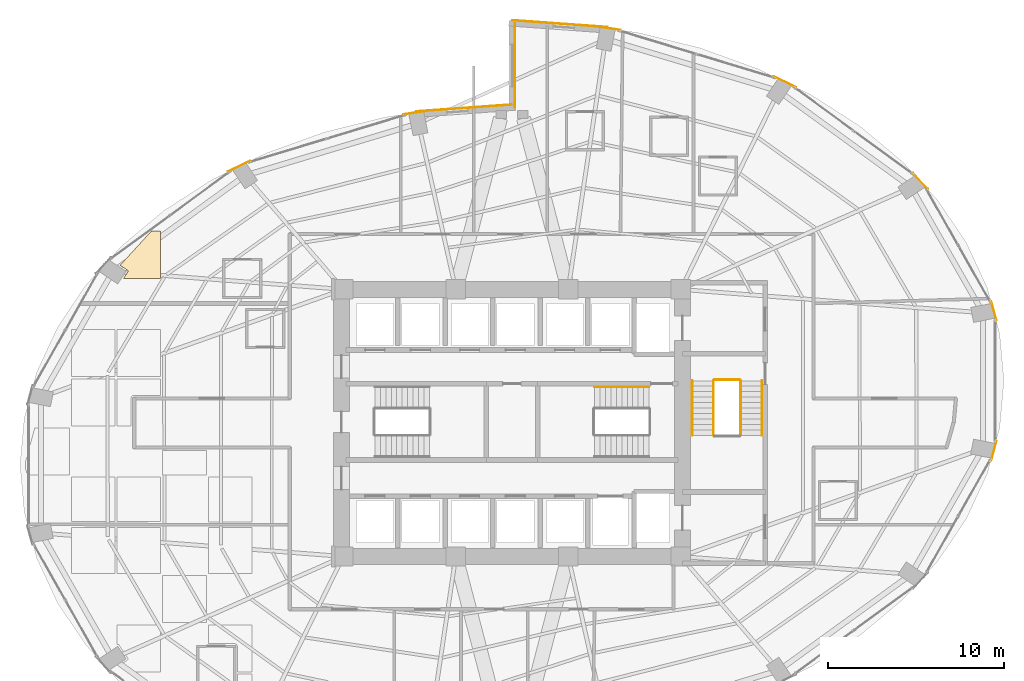
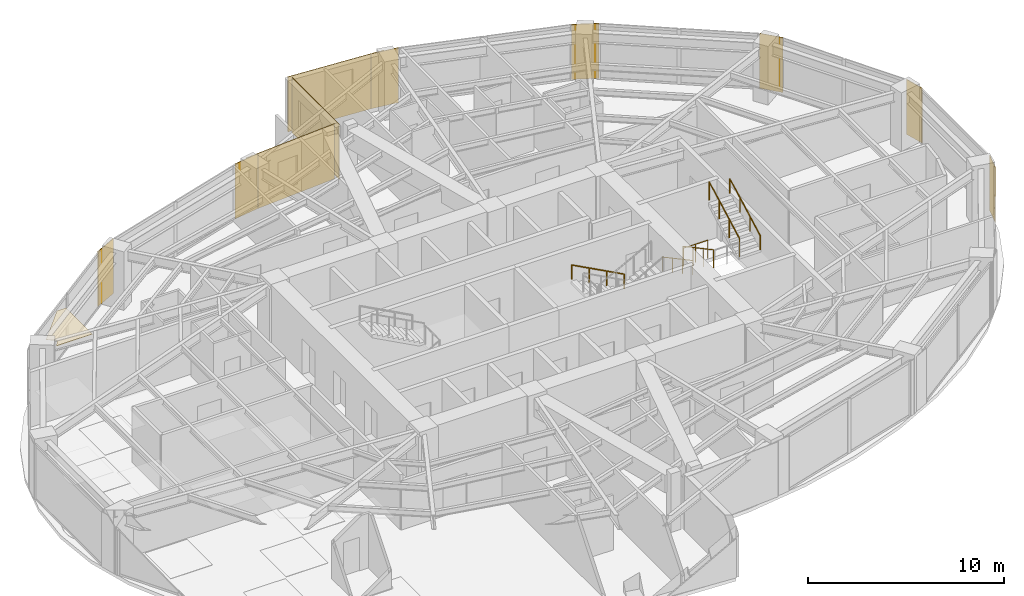
# One storey, part 25 of 25: 11 coverings, 6 railings.
"""IFC4 building model written with IfcOpenShell, lengths in metres."""

from ifc_helpers import new_model, si_unit, direction, frame, origin, origin_2d, place, context, subcontext, project, spatial, polyline, rectangle, circle, outline, extrude, material, layer, layer_set, type_object, element, save


model = new_model("IFC4")

# Units and contexts
model_context = context("Model", 3, precision=1e-05, world=origin(), true_north=direction((0.0, 1.0)))
body_context = subcontext(model_context, "Body", "Model", "MODEL_VIEW")
ifc_project = project(units=[si_unit("LENGTHUNIT", "METRE"), si_unit("AREAUNIT", "SQUARE_METRE"), si_unit("VOLUMEUNIT", "CUBIC_METRE"), si_unit("PLANEANGLEUNIT", "RADIAN"), si_unit("MASSUNIT", "GRAM", prefix="KILO")], contexts=[model_context])

# Site, building, storey
site_placement = place(None, origin())
site = spatial("IfcSite", under=ifc_project, at=site_placement, CompositionType="ELEMENT")
building_placement = place(site_placement, origin())
building = spatial("IfcBuilding", under=site, at=building_placement, Name="Lazwardi Medical Tower", CompositionType="ELEMENT")
storey_placement = place(building_placement, frame((0.0, 0.0, 28.847900390625)))
storey = spatial("IfcBuildingStorey", under=building, at=storey_placement, Name="L06", CompositionType="ELEMENT", Elevation=28.847900390625)

# Coverings
ifc_material_1 = material(Name="Anodised bronze aluminium cassette cladding", Category="aluminium")
ifc_layer_1 = layer(ifc_material_1, 0.030029296875)
ifc_layer_set_1 = layer_set([ifc_layer_1], Name="Anodised bronze aluminium cassette cladding")
covering_type_1 = type_object("IfcCoveringType", Name="COV-CLD-BRZ", PredefinedType="CLADDING", material=ifc_layer_set_1)
for number, where, z_axis, x_axis, name in (
    (1, (63.420654296875, 26.408203125, 0.0), (0.0, 0.0, 1.0), (0.262283496593, 0.964990863902, 0.0), "L06 Mega-column bronze cassette cover M04"),
    (2, (63.420654296875, 34.3916015625, 0.0), (0.0, 0.0, 1.0), (-0.262283496593, 0.964990863902, 0.0), "L06 Mega-column bronze cassette cover M05"),
):
    element("IfcCovering", number, at=place(storey_placement, frame(where, z_axis=z_axis, x_axis=x_axis)), inside=storey, type_object=covering_type_1, Name=name, PredefinedType="CLADDING", context=body_context, shape_type="SweptSolid", body=[
        extrude(rectangle(XDim=1.12548828125, YDim=0.030029296875, at=origin_2d()), origin(), (0.0, 0.0, 1.0), 3.427978515625),
    ])
covering_1_placement = place(storey_placement, frame((59.24609375, 41.767333984375, 0.0), z_axis=(0.0, 0.0, 1.0), x_axis=(-0.674252120961, 0.738501237223, 0.0)))
element("IfcCovering", 3, at=covering_1_placement, inside=storey, type_object=covering_type_1, Name="L06 Mega-column bronze cassette cover M06", PredefinedType="CLADDING", context=body_context, shape_type="SweptSolid", body=[
    extrude(rectangle(XDim=1.24658203125, YDim=0.030029296875, at=origin_2d()), origin(), (0.0, 0.0, 1.0), 3.427978515625),
])
covering_2_placement = place(storey_placement, frame((51.532470703125, 47.412353515625, 0.0), z_axis=(0.0, 0.0, 1.0), x_axis=(-0.898334492373, 0.439312121178, 0.0)))
element("IfcCovering", 4, at=covering_2_placement, inside=storey, type_object=covering_type_1, Name="L06 Mega-column bronze cassette cover M07", PredefinedType="CLADDING", context=body_context, shape_type="SweptSolid", body=[
    extrude(rectangle(XDim=1.400390625, YDim=0.030029296875, at=origin_2d()), origin(), (0.0, 0.0, 1.0), 3.427978515625),
])
for number, where, z_axis, x_axis, name in (
    (5, (41.454345703125, 50.46728515625, 0.0), (0.0, 0.0, 1.0), (-0.98957259946, 0.144034962415, 0.0), "L06 Mega-column bronze cassette cover M08"),
    (6, (30.545654296875, 45.66748046875, 0.0), (0.0, 0.0, 1.0), (-0.98957259946, -0.144034962415, 0.0), "L06 Mega-column bronze cassette cover M09"),
):
    element("IfcCovering", number, at=place(storey_placement, frame(where, z_axis=z_axis, x_axis=x_axis)), inside=storey, type_object=covering_type_1, Name=name, PredefinedType="CLADDING", context=body_context, shape_type="SweptSolid", body=[
        extrude(rectangle(XDim=1.49951171875, YDim=0.030029296875, at=origin_2d()), origin(), (0.0, 0.0, 1.0), 3.427978515625),
    ])
covering_3_placement = place(storey_placement, frame((20.467529296875, 42.6123046875, 0.0), z_axis=(0.0, 0.0, 1.0), x_axis=(-0.898334492373, -0.439312121178, 0.0)))
element("IfcCovering", 7, at=covering_3_placement, inside=storey, type_object=covering_type_1, Name="L06 Mega-column bronze cassette cover M10", PredefinedType="CLADDING", context=body_context, shape_type="SweptSolid", body=[
    extrude(rectangle(XDim=1.400390625, YDim=0.030029296875, at=origin_2d()), origin(), (0.0, 0.0, 1.0), 3.427978515625),
])
ifc_material_2 = material(Name="Turquoise glazed ceramic tilework cladding", Category="masonry")
ifc_layer_2 = layer(ifc_material_2, 0.034912109375)
ifc_layer_set_2 = layer_set([ifc_layer_2], Name="Turquoise glazed ceramic tilework cladding")
covering_type_2 = type_object("IfcCoveringType", Name="COV-CLD-TRQ", PredefinedType="CLADDING", material=ifc_layer_set_2)
covering_4_placement = place(storey_placement, frame((38.728271484375, 50.719482421875, 0.0), z_axis=(0.0, 0.0, 1.0), x_axis=(-0.997421404513, 0.071767275412, 0.0)))
element("IfcCovering", 8, at=covering_4_placement, inside=storey, type_object=covering_type_2, Name="L06 Turquoise glazed ceramic tilework cladding", PredefinedType="CLADDING", context=body_context, shape_type="SweptSolid", body=[
    extrude(rectangle(XDim=5.4453125, YDim=0.034912109375, at=origin_2d()), origin(), (0.0, 0.0, 1.0), 3.427978515625),
])
covering_5_placement = place(storey_placement, frame((33.271484375, 45.919677734375, 0.0), z_axis=(0.0, 0.0, 1.0), x_axis=(-0.997420903458, -0.071774238726, 0.0)))
element("IfcCovering", 9, at=covering_5_placement, inside=storey, type_object=covering_type_2, Name="L06 Turquoise glazed ceramic tilework cladding", PredefinedType="CLADDING", context=body_context, shape_type="SweptSolid", body=[
    extrude(rectangle(XDim=5.44482421875, YDim=0.034912109375, at=origin_2d()), origin(), (0.0, 0.0, 1.0), 3.427978515625),
])
covering_6_placement = place(storey_placement, frame((36.175537109375, 48.340087890625, 0.0), z_axis=(0.0, 0.0, 1.0), x_axis=(0.0, -1.0, 0.0)))
element("IfcCovering", 10, at=covering_6_placement, inside=storey, type_object=covering_type_2, Name="L06 Turquoise glazed ceramic tilework iwan panel", PredefinedType="CLADDING", context=body_context, shape_type="SweptSolid", body=[
    extrude(rectangle(XDim=4.800048828125, YDim=0.034912109375, at=origin_2d()), origin(), (0.0, 0.0, 1.0), 3.427978515625),
])
ifc_material_3 = material(Name="Acoustic mineral fibre tile")
ifc_layer_3 = layer(ifc_material_3, 0.02490234375)
ifc_layer_set_3 = layer_set([ifc_layer_3], Name="Acoustic mineral fibre tile")
covering_type_3 = type_object("IfcCoveringType", Name="COV-CLG-01", PredefinedType="CEILING", material=ifc_layer_set_3)
covering_7_placement = place(storey_placement, frame((0.0, 0.0, 3.283203125)))
element("IfcCovering", 11, at=covering_7_placement, inside=storey, type_object=covering_type_3, Name="L06 Clinical Acoustic Ceiling 6", PredefinedType="CEILING", context=body_context, shape_type="SweptSolid", body=[
    extrude(outline(polyline([(15.470703125, 38.91259765625), (13.69677734375, 36.97314453125), (14.11083984375, 36.696533203125), (14.1171875, 36.69189453125), (14.123046875, 36.6865234375), (14.128173828125, 36.6806640625), (14.1328125, 36.67431640625), (14.136962890625, 36.667724609375), (14.140380859375, 36.66064453125), (14.14306640625, 36.6533203125), (14.14501953125, 36.6455078125), (14.14599609375, 36.6376953125), (14.146484375, 36.6298828125), (14.14599609375, 36.622314453125), (14.14501953125, 36.614501953125), (14.14306640625, 36.606689453125), (14.140380859375, 36.599365234375), (14.136962890625, 36.59228515625), (14.1328125, 36.585693359375), (13.89697265625, 36.232421875), (16.0029296875, 36.232421875), (16.0029296875, 38.91259765625), (15.470703125, 38.91259765625)])), origin(), (0.0, 0.0, 1.0), 0.02490234375),
])

# Railings
ifc_material_4 = material(Name="Stainless steel Grade 316", Category="steel")
railing_type_1 = type_object("IfcRailingType", Name="RLG-GRD-1150", PredefinedType="GUARDRAIL", material=ifc_material_4)
railing_1_placement = place(storey_placement, frame((47.469970703125, 30.39990234375, 0.166015625)))
element("IfcRailing", 12, at=railing_1_placement, inside=storey, type_object=railing_type_1, Name="L06 ST3 stair guard 1", PredefinedType="GUARDRAIL", context=body_context, shape_type="SweptSolid", body=[
    extrude(circle(Radius=0.02392578125, at=origin_2d()), frame((0.0, 0.0, 1.1259765625), z_axis=(0.0, -0.881767849116, 0.471683644262), x_axis=(1.0, 0.0, 0.0)), (0.0, 0.0, 1.0), 3.515380859375),
    extrude(circle(Radius=0.02099609375, at=origin_2d()), origin(), (0.0, 0.0, 1.0), 1.099853515625),
    extrude(circle(Radius=0.02099609375, at=origin_2d()), frame((0.0, -1.033203125, 0.552734375)), (0.0, 0.0, 1.0), 1.099853515625),
    extrude(circle(Radius=0.02099609375, at=origin_2d()), frame((0.0, -2.066650390625, 1.10546875)), (0.0, 0.0, 1.0), 1.099853515625),
    extrude(circle(Radius=0.02099609375, at=origin_2d()), frame((0.0, -3.099853515625, 1.658203125)), (0.0, 0.0, 1.0), 1.099853515625),
])
railing_2_placement = place(storey_placement, frame((49.010009765625, 27.300048828125, 1.989990234375)))
element("IfcRailing", 13, at=railing_2_placement, inside=storey, type_object=railing_type_1, Name="L06 ST3 stair guard 3", PredefinedType="GUARDRAIL", context=body_context, shape_type="SweptSolid", body=[
    extrude(circle(Radius=0.02392578125, at=origin_2d()), frame((0.0, 0.0, 1.1259765625), z_axis=(0.0, 0.881767849116, 0.471683644262), x_axis=(-1.0, 0.0, 0.0)), (0.0, 0.0, 1.0), 3.515380859375),
    extrude(circle(Radius=0.02099609375, at=origin_2d()), origin(), (0.0, 0.0, 1.0), 1.099853515625),
    extrude(circle(Radius=0.02099609375, at=origin_2d()), frame((0.0, 1.033203125, 0.552734375)), (0.0, 0.0, 1.0), 1.099853515625),
    extrude(circle(Radius=0.02099609375, at=origin_2d()), frame((0.0, 2.066650390625, 1.10546875)), (0.0, 0.0, 1.0), 1.099853515625),
    extrude(circle(Radius=0.02099609375, at=origin_2d()), frame((0.0, 3.099853515625, 1.658203125)), (0.0, 0.0, 1.0), 1.099853515625),
])
railing_3_placement = place(storey_placement, frame((47.52001953125, 30.449951171875, 0.0)))
element("IfcRailing", 14, at=railing_3_placement, inside=storey, type_object=railing_type_1, Name="L06 ST3 stair guard 4", PredefinedType="GUARDRAIL", context=body_context, shape_type="SweptSolid", body=[
    extrude(circle(Radius=0.02392578125, at=origin_2d()), frame((0.0, 0.0, 1.1259765625), z_axis=(1.0, 0.0, 0.0), x_axis=(0.0, 1.0, 0.0)), (0.0, 0.0, 1.0), 1.43994140625),
    extrude(circle(Radius=0.02099609375, at=origin_2d()), origin(), (0.0, 0.0, 1.0), 1.099853515625),
    extrude(circle(Radius=0.02099609375, at=origin_2d()), frame((0.719970703125, 0.0, 0.0)), (0.0, 0.0, 1.0), 1.099853515625),
    extrude(circle(Radius=0.02099609375, at=origin_2d()), frame((1.43994140625, 0.0, 0.0)), (0.0, 0.0, 1.0), 1.099853515625),
])
railing_type_2 = type_object("IfcRailingType", Name="RLG-HND-920", PredefinedType="HANDRAIL", material=ifc_material_4)
railing_4_placement = place(storey_placement, frame((43.800048828125, 30.050048828125, 0.166015625)))
element("IfcRailing", 15, at=railing_4_placement, inside=storey, type_object=railing_type_2, Name="L06 ST2 stair handrail 1", PredefinedType="HANDRAIL", context=body_context, shape_type="SweptSolid", body=[
    extrude(circle(Radius=0.02392578125, at=origin_2d()), frame((0.0, 0.0, 0.8857421875), z_axis=(-0.881783298633, 0.0, 0.471654761719), x_axis=(0.0, -1.0, 0.0)), (0.0, 0.0, 1.0), 3.515625),
    extrude(circle(Radius=0.02099609375, at=origin_2d()), origin(), (0.0, 0.0, 1.0), 0.85986328125),
    extrude(circle(Radius=0.02099609375, at=origin_2d()), frame((-1.033447265625, 0.0, 0.552734375)), (0.0, 0.0, 1.0), 0.85986328125),
    extrude(circle(Radius=0.02099609375, at=origin_2d()), frame((-2.066650390625, 0.0, 1.10546875)), (0.0, 0.0, 1.0), 0.85986328125),
    extrude(circle(Radius=0.02099609375, at=origin_2d()), frame((-3.10009765625, 0.0, 1.658203125)), (0.0, 0.0, 1.0), 0.85986328125),
])
railing_5_placement = place(storey_placement, frame((46.25, 30.39990234375, 0.166015625)))
element("IfcRailing", 16, at=railing_5_placement, inside=storey, type_object=railing_type_2, Name="L06 ST3 stair handrail 1", PredefinedType="HANDRAIL", context=body_context, shape_type="SweptSolid", body=[
    extrude(circle(Radius=0.02392578125, at=origin_2d()), frame((0.0, 0.0, 0.8857421875), z_axis=(0.0, -0.881767849116, 0.471683644262), x_axis=(1.0, 0.0, 0.0)), (0.0, 0.0, 1.0), 3.515380859375),
    extrude(circle(Radius=0.02099609375, at=origin_2d()), origin(), (0.0, 0.0, 1.0), 0.85986328125),
    extrude(circle(Radius=0.02099609375, at=origin_2d()), frame((0.0, -1.033203125, 0.552734375)), (0.0, 0.0, 1.0), 0.85986328125),
    extrude(circle(Radius=0.02099609375, at=origin_2d()), frame((0.0, -2.066650390625, 1.10546875)), (0.0, 0.0, 1.0), 0.85986328125),
    extrude(circle(Radius=0.02099609375, at=origin_2d()), frame((0.0, -3.099853515625, 1.658203125)), (0.0, 0.0, 1.0), 0.85986328125),
])
railing_6_placement = place(storey_placement, frame((50.22998046875, 27.300048828125, 1.989990234375)))
element("IfcRailing", 17, at=railing_6_placement, inside=storey, type_object=railing_type_2, Name="L06 ST3 stair handrail 2", PredefinedType="HANDRAIL", context=body_context, shape_type="SweptSolid", body=[
    extrude(circle(Radius=0.02392578125, at=origin_2d()), frame((0.0, 0.0, 0.8857421875), z_axis=(0.0, 0.881767849116, 0.471683644262), x_axis=(-1.0, 0.0, 0.0)), (0.0, 0.0, 1.0), 3.515380859375),
    extrude(circle(Radius=0.02099609375, at=origin_2d()), origin(), (0.0, 0.0, 1.0), 0.85986328125),
    extrude(circle(Radius=0.02099609375, at=origin_2d()), frame((0.0, 1.033203125, 0.552734375)), (0.0, 0.0, 1.0), 0.85986328125),
    extrude(circle(Radius=0.02099609375, at=origin_2d()), frame((0.0, 2.066650390625, 1.10546875)), (0.0, 0.0, 1.0), 0.85986328125),
    extrude(circle(Radius=0.02099609375, at=origin_2d()), frame((0.0, 3.099853515625, 1.658203125)), (0.0, 0.0, 1.0), 0.85986328125),
])

save(model, "model.ifc")
